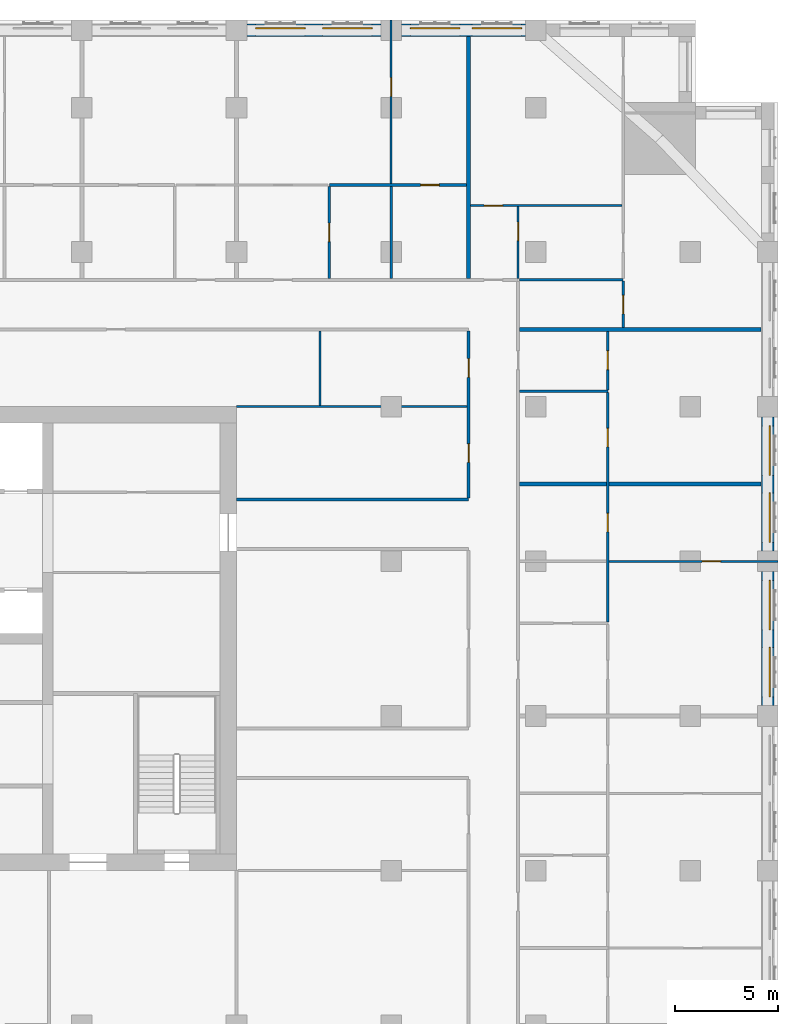
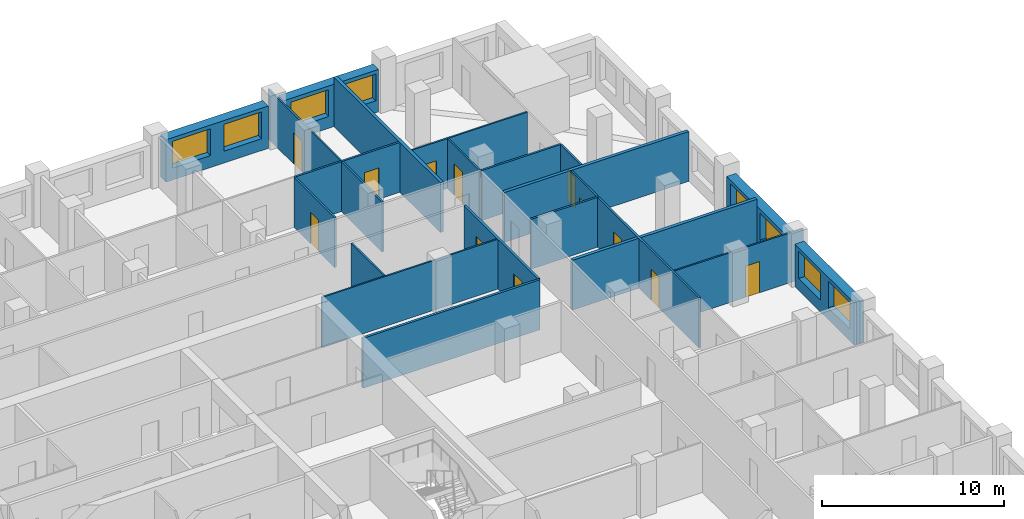
# One storey, part 10 of 13: 23 walls, 12 doors, 8 windows, 20 openings.
"""IFC4 building model written with IfcOpenShell, lengths in metres."""

from ifc_helpers import new_model, si_unit, direction, frame, frame_2d, origin, place, context, subcontext, project, spatial, rectangle, extrude, material, layer, layer_set, type_object, element, fill, save


model = new_model("IFC4")

# Units and contexts
model_context = context("Model", 3, precision=1e-05, world=origin(), true_north=direction((0.0, 1.0)))
body_context = subcontext(model_context, "Body", "Model", "MODEL_VIEW")
ifc_project = project(units=[si_unit("LENGTHUNIT", "METRE"), si_unit("AREAUNIT", "SQUARE_METRE"), si_unit("VOLUMEUNIT", "CUBIC_METRE"), si_unit("PLANEANGLEUNIT", "RADIAN"), si_unit("MASSUNIT", "GRAM", prefix="KILO")], contexts=[model_context])

# Site, building, storey
site_placement = place(None, origin())
site = spatial("IfcSite", under=ifc_project, at=site_placement, CompositionType="ELEMENT")
building_placement = place(site_placement, origin())
building = spatial("IfcBuilding", under=site, at=building_placement, Name="Tamorin Gate", CompositionType="ELEMENT")
storey_placement = place(building_placement, frame((0.0, 0.0, 144.60009765625)))
storey = spatial("IfcBuildingStorey", under=building, at=storey_placement, Name="L35", CompositionType="ELEMENT", Elevation=144.60009765625)

# Wall, openings, windows
ifc_material_1 = material(Name="Precast concrete C40/50", Category="concrete")
ifc_layer_1 = layer(ifc_material_1, 0.60009765625)
ifc_layer_set_1 = layer_set([ifc_layer_1], Name="Precast concrete C40/50")
wall_type_1 = type_object("IfcWallType", Name="Board-marked concrete facade panel 600", PredefinedType="SOLIDWALL", material=ifc_layer_set_1)
wall_1_placement = place(storey_placement, frame((85.75, 68.0, 0.0), z_axis=(0.0, 0.0, 1.0), x_axis=(0.0, 1.0, 0.0)))
wall_1 = element("IfcWall", 1, at=wall_1_placement, inside=storey, type_object=wall_type_1, Name="Facade panel", PredefinedType="SOLIDWALL", context=body_context, shape_type="SweptSolid", body=[
    extrude(rectangle(XDim=6.5, YDim=0.60009765625, at=frame_2d((3.25, 0.0))), origin(), (0.0, 0.0, 1.0), 2.849853515625),
])
opening_1_placement = place(wall_1_placement, frame((0.425048828125, 0.0, 0.800048828125)))
opening_1 = element("IfcOpeningElement", 2, at=opening_1_placement, cuts=wall_1, Name="Opening WN1", PredefinedType="OPENING", context=body_context, shape_type="SweptSolid", body=[
    extrude(rectangle(XDim=2.39990234375, YDim=1.800048828125, at=frame_2d((1.199951171875, 0.89990234375))), frame((0.0, 0.31005859375, 0.0), z_axis=(0.0, -1.0, 0.0), x_axis=(1.0, 0.0, 0.0)), (0.0, 0.0, 1.0), 0.6201171875),
])
opening_2_placement = place(wall_1_placement, frame((3.675048828125, 0.0, 0.800048828125)))
opening_2 = element("IfcOpeningElement", 3, at=opening_2_placement, cuts=wall_1, Name="Opening WN1", PredefinedType="OPENING", context=body_context, shape_type="SweptSolid", body=[
    extrude(rectangle(XDim=2.39990234375, YDim=1.800048828125, at=frame_2d((1.199951171875, 0.89990234375))), frame((0.0, 0.31005859375, 0.0), z_axis=(0.0, -1.0, 0.0), x_axis=(1.0, 0.0, 0.0)), (0.0, 0.0, 1.0), 0.6201171875),
])
ifc_material_2 = material(Name="Clear glass in aluminium frame", Category="aluminium")
window_type = type_object("IfcWindowType", Name="Deep-set window 2400x1800", PartitioningType="SINGLE_PANEL", PredefinedType="WINDOW", material=ifc_material_2)
window_1_placement = place(opening_1_placement, origin())
window_1 = element("IfcWindow", 4, at=window_1_placement, inside=storey, type_object=window_type, Name="Deep-set window", OverallHeight=1.800048828125, OverallWidth=2.39990234375, PartitioningType="SINGLE_PANEL", PredefinedType="WINDOW", context=body_context, shape_type="SweptSolid", body=[
    extrude(rectangle(XDim=2.39990234375, YDim=1.800048828125, at=frame_2d((1.199951171875, 0.89990234375))), frame((0.0, -0.070068359375, 0.0), z_axis=(0.0, -1.0, 0.0), x_axis=(1.0, 0.0, 0.0)), (0.0, 0.0, 1.0), 0.06005859375),
])
fill(opening_1, window_1)
window_2_placement = place(opening_2_placement, origin())
window_2 = element("IfcWindow", 5, at=window_2_placement, inside=storey, type_object=window_type, Name="Deep-set window", OverallHeight=1.800048828125, OverallWidth=2.39990234375, PartitioningType="SINGLE_PANEL", PredefinedType="WINDOW", context=body_context, shape_type="SweptSolid", body=[
    extrude(rectangle(XDim=2.39990234375, YDim=1.800048828125, at=frame_2d((1.199951171875, 0.89990234375))), frame((0.0, -0.070068359375, 0.0), z_axis=(0.0, -1.0, 0.0), x_axis=(1.0, 0.0, 0.0)), (0.0, 0.0, 1.0), 0.06005859375),
])
fill(opening_2, window_2)

wall_2_placement = place(storey_placement, frame((85.75, 75.5, 0.0), z_axis=(0.0, 0.0, 1.0), x_axis=(0.0, 1.0, 0.0)))
wall_2 = element("IfcWall", 6, at=wall_2_placement, inside=storey, type_object=wall_type_1, Name="Facade panel", PredefinedType="SOLIDWALL", context=body_context, shape_type="SweptSolid", body=[
    extrude(rectangle(XDim=6.5, YDim=0.60009765625, at=frame_2d((3.25, 0.0))), origin(), (0.0, 0.0, 1.0), 2.849853515625),
])
opening_3_placement = place(wall_2_placement, frame((0.425048828125, 0.0, 0.800048828125)))
opening_3 = element("IfcOpeningElement", 7, at=opening_3_placement, cuts=wall_2, Name="Opening WN1", PredefinedType="OPENING", context=body_context, shape_type="SweptSolid", body=[
    extrude(rectangle(XDim=2.39990234375, YDim=1.800048828125, at=frame_2d((1.199951171875, 0.89990234375))), frame((0.0, 0.31005859375, 0.0), z_axis=(0.0, -1.0, 0.0), x_axis=(1.0, 0.0, 0.0)), (0.0, 0.0, 1.0), 0.6201171875),
])
opening_4_placement = place(wall_2_placement, frame((3.675048828125, 0.0, 0.800048828125)))
opening_4 = element("IfcOpeningElement", 8, at=opening_4_placement, cuts=wall_2, Name="Opening WN1", PredefinedType="OPENING", context=body_context, shape_type="SweptSolid", body=[
    extrude(rectangle(XDim=2.39990234375, YDim=1.800048828125, at=frame_2d((1.199951171875, 0.89990234375))), frame((0.0, 0.31005859375, 0.0), z_axis=(0.0, -1.0, 0.0), x_axis=(1.0, 0.0, 0.0)), (0.0, 0.0, 1.0), 0.6201171875),
])
window_3_placement = place(opening_3_placement, origin())
window_3 = element("IfcWindow", 9, at=window_3_placement, inside=storey, type_object=window_type, Name="Deep-set window", OverallHeight=1.800048828125, OverallWidth=2.39990234375, PartitioningType="SINGLE_PANEL", PredefinedType="WINDOW", context=body_context, shape_type="SweptSolid", body=[
    extrude(rectangle(XDim=2.39990234375, YDim=1.800048828125, at=frame_2d((1.199951171875, 0.89990234375))), frame((0.0, -0.070068359375, 0.0), z_axis=(0.0, -1.0, 0.0), x_axis=(1.0, 0.0, 0.0)), (0.0, 0.0, 1.0), 0.06005859375),
])
fill(opening_3, window_3)
window_4_placement = place(opening_4_placement, origin())
window_4 = element("IfcWindow", 10, at=window_4_placement, inside=storey, type_object=window_type, Name="Deep-set window", OverallHeight=1.800048828125, OverallWidth=2.39990234375, PartitioningType="SINGLE_PANEL", PredefinedType="WINDOW", context=body_context, shape_type="SweptSolid", body=[
    extrude(rectangle(XDim=2.39990234375, YDim=1.800048828125, at=frame_2d((1.199951171875, 0.89990234375))), frame((0.0, -0.070068359375, 0.0), z_axis=(0.0, -1.0, 0.0), x_axis=(1.0, 0.0, 0.0)), (0.0, 0.0, 1.0), 0.06005859375),
])
fill(opening_4, window_4)

wall_3_placement = place(storey_placement, frame((74.0, 100.75, 0.0), z_axis=(0.0, 0.0, 1.0), x_axis=(-1.0, 0.0, 0.0)))
wall_3 = element("IfcWall", 11, at=wall_3_placement, inside=storey, type_object=wall_type_1, Name="Facade panel", PredefinedType="SOLIDWALL", context=body_context, shape_type="SweptSolid", body=[
    extrude(rectangle(XDim=6.0, YDim=0.60009765625, at=frame_2d((3.0, 0.0))), origin(), (0.0, 0.0, 1.0), 2.849853515625),
])
opening_5_placement = place(wall_3_placement, frame((3.175048828125, 0.0, 0.800048828125)))
opening_5 = element("IfcOpeningElement", 12, at=opening_5_placement, cuts=wall_3, Name="Opening WN1", PredefinedType="OPENING", context=body_context, shape_type="SweptSolid", body=[
    extrude(rectangle(XDim=2.39990234375, YDim=1.800048828125, at=frame_2d((1.199951171875, 0.89990234375))), frame((0.0, 0.31005859375, 0.0), z_axis=(0.0, -1.0, 0.0), x_axis=(1.0, 0.0, 0.0)), (0.0, 0.0, 1.0), 0.6201171875),
])
opening_6_placement = place(wall_3_placement, frame((0.175048828125, 0.0, 0.800048828125)))
opening_6 = element("IfcOpeningElement", 13, at=opening_6_placement, cuts=wall_3, Name="Opening WN1", PredefinedType="OPENING", context=body_context, shape_type="SweptSolid", body=[
    extrude(rectangle(XDim=2.39990234375, YDim=1.800048828125, at=frame_2d((1.199951171875, 0.89990234375))), frame((0.0, 0.31005859375, 0.0), z_axis=(0.0, -1.0, 0.0), x_axis=(1.0, 0.0, 0.0)), (0.0, 0.0, 1.0), 0.6201171875),
])
window_5_placement = place(opening_5_placement, origin())
window_5 = element("IfcWindow", 14, at=window_5_placement, inside=storey, type_object=window_type, Name="Deep-set window", OverallHeight=1.800048828125, OverallWidth=2.39990234375, PartitioningType="SINGLE_PANEL", PredefinedType="WINDOW", context=body_context, shape_type="SweptSolid", body=[
    extrude(rectangle(XDim=2.39990234375, YDim=1.800048828125, at=frame_2d((1.199951171875, 0.89990234375))), frame((0.0, -0.070068359375, 0.0), z_axis=(0.0, -1.0, 0.0), x_axis=(1.0, 0.0, 0.0)), (0.0, 0.0, 1.0), 0.06005859375),
])
fill(opening_5, window_5)
window_6_placement = place(opening_6_placement, origin())
window_6 = element("IfcWindow", 15, at=window_6_placement, inside=storey, type_object=window_type, Name="Deep-set window", OverallHeight=1.800048828125, OverallWidth=2.39990234375, PartitioningType="SINGLE_PANEL", PredefinedType="WINDOW", context=body_context, shape_type="SweptSolid", body=[
    extrude(rectangle(XDim=2.39990234375, YDim=1.800048828125, at=frame_2d((1.199951171875, 0.89990234375))), frame((0.0, -0.070068359375, 0.0), z_axis=(0.0, -1.0, 0.0), x_axis=(1.0, 0.0, 0.0)), (0.0, 0.0, 1.0), 0.06005859375),
])
fill(opening_6, window_6)

wall_4_placement = place(storey_placement, frame((67.0, 100.75, 0.0), z_axis=(0.0, 0.0, 1.0), x_axis=(-1.0, 0.0, 0.0)))
wall_4 = element("IfcWall", 16, at=wall_4_placement, inside=storey, type_object=wall_type_1, Name="Facade panel", PredefinedType="SOLIDWALL", context=body_context, shape_type="SweptSolid", body=[
    extrude(rectangle(XDim=6.5, YDim=0.60009765625, at=frame_2d((3.25, 0.0))), origin(), (0.0, 0.0, 1.0), 2.849853515625),
])
opening_7_placement = place(wall_4_placement, frame((3.675048828125, 0.0, 0.800048828125)))
opening_7 = element("IfcOpeningElement", 17, at=opening_7_placement, cuts=wall_4, Name="Opening WN1", PredefinedType="OPENING", context=body_context, shape_type="SweptSolid", body=[
    extrude(rectangle(XDim=2.39990234375, YDim=1.800048828125, at=frame_2d((1.199951171875, 0.89990234375))), frame((0.0, 0.31005859375, 0.0), z_axis=(0.0, -1.0, 0.0), x_axis=(1.0, 0.0, 0.0)), (0.0, 0.0, 1.0), 0.6201171875),
])
opening_8_placement = place(wall_4_placement, frame((0.425048828125, 0.0, 0.800048828125)))
opening_8 = element("IfcOpeningElement", 18, at=opening_8_placement, cuts=wall_4, Name="Opening WN1", PredefinedType="OPENING", context=body_context, shape_type="SweptSolid", body=[
    extrude(rectangle(XDim=2.39990234375, YDim=1.800048828125, at=frame_2d((1.199951171875, 0.89990234375))), frame((0.0, 0.31005859375, 0.0), z_axis=(0.0, -1.0, 0.0), x_axis=(1.0, 0.0, 0.0)), (0.0, 0.0, 1.0), 0.6201171875),
])
window_7_placement = place(opening_7_placement, origin())
window_7 = element("IfcWindow", 19, at=window_7_placement, inside=storey, type_object=window_type, Name="Deep-set window", OverallHeight=1.800048828125, OverallWidth=2.39990234375, PartitioningType="SINGLE_PANEL", PredefinedType="WINDOW", context=body_context, shape_type="SweptSolid", body=[
    extrude(rectangle(XDim=2.39990234375, YDim=1.800048828125, at=frame_2d((1.199951171875, 0.89990234375))), frame((0.0, -0.070068359375, 0.0), z_axis=(0.0, -1.0, 0.0), x_axis=(1.0, 0.0, 0.0)), (0.0, 0.0, 1.0), 0.06005859375),
])
fill(opening_7, window_7)
window_8_placement = place(opening_8_placement, origin())
window_8 = element("IfcWindow", 20, at=window_8_placement, inside=storey, type_object=window_type, Name="Deep-set window", OverallHeight=1.800048828125, OverallWidth=2.39990234375, PartitioningType="SINGLE_PANEL", PredefinedType="WINDOW", context=body_context, shape_type="SweptSolid", body=[
    extrude(rectangle(XDim=2.39990234375, YDim=1.800048828125, at=frame_2d((1.199951171875, 0.89990234375))), frame((0.0, -0.070068359375, 0.0), z_axis=(0.0, -1.0, 0.0), x_axis=(1.0, 0.0, 0.0)), (0.0, 0.0, 1.0), 0.06005859375),
])
fill(opening_8, window_8)

# Wall, openings, doors
ifc_material_3 = material(Name="Gypsum board partition")
ifc_layer_2 = layer(ifc_material_3, 0.14990234375)
ifc_layer_set_2 = layer_set([ifc_layer_2], Name="Corridor wall 150")
wall_type_2 = type_object("IfcWallType", Name="Corridor wall 150", PredefinedType="PARTITIONING", material=ifc_layer_set_2)
wall_5_placement = place(storey_placement, frame((71.25, 78.074951171875, 0.0), z_axis=(0.0, 0.0, 1.0), x_axis=(0.0, 1.0, 0.0)))
wall_5 = element("IfcWall", 21, at=wall_5_placement, inside=storey, type_object=wall_type_2, Name="Corridor wall 150", PredefinedType="PARTITIONING", context=body_context, shape_type="SweptSolid", body=[
    extrude(rectangle(XDim=8.10009765625, YDim=0.14990234375, at=frame_2d((4.050048828125, 0.0))), origin(), (0.0, 0.0, 1.0), 3.349853515625),
])
opening_9_placement = place(wall_5_placement, frame((5.85009765625, 0.0, 0.0)))
opening_9 = element("IfcOpeningElement", 22, at=opening_9_placement, cuts=wall_5, Name="Opening DS1069", PredefinedType="OPENING", context=body_context, shape_type="SweptSolid", body=[
    extrude(rectangle(XDim=0.89990234375, YDim=2.10009765625, at=frame_2d((0.449951171875, 1.050048828125))), frame((0.0, 0.0849609375, 0.0), z_axis=(0.0, -1.0, 0.0), x_axis=(1.0, 0.0, 0.0)), (0.0, 0.0, 1.0), 0.169921875),
])
opening_10_placement = place(wall_5_placement, frame((1.72509765625, 0.0, 0.0)))
opening_10 = element("IfcOpeningElement", 23, at=opening_10_placement, cuts=wall_5, Name="Opening DS1072", PredefinedType="OPENING", context=body_context, shape_type="SweptSolid", body=[
    extrude(rectangle(XDim=0.89990234375, YDim=2.10009765625, at=frame_2d((0.449951171875, 1.050048828125))), frame((0.0, 0.0849609375, 0.0), z_axis=(0.0, -1.0, 0.0), x_axis=(1.0, 0.0, 0.0)), (0.0, 0.0, 1.0), 0.169921875),
])
ifc_material_4 = material(Name="Timber door leaf", Category="wood")
door_type_1 = type_object("IfcDoorType", Name="Door 900 x 2100 FD30S", OperationType="NOTDEFINED", PredefinedType="DOOR", material=ifc_material_4)
door_1_placement = place(opening_9_placement, origin())
door_1 = element("IfcDoor", 24, at=door_1_placement, inside=storey, type_object=door_type_1, Name="Door DS1069", OperationType="SINGLE_SWING_LEFT", OverallHeight=2.10009765625, OverallWidth=0.89990234375, PredefinedType="DOOR", context=body_context, shape_type="SweptSolid", body=[
    extrude(rectangle(XDim=0.89990234375, YDim=2.10009765625, at=frame_2d((0.449951171875, 1.050048828125))), frame((0.0, 0.02490234375, 0.0), z_axis=(0.0, -1.0, 0.0), x_axis=(1.0, 0.0, 0.0)), (0.0, 0.0, 1.0), 0.050048828125),
])
fill(opening_9, door_1)
door_2_placement = place(opening_10_placement, origin())
door_2 = element("IfcDoor", 25, at=door_2_placement, inside=storey, type_object=door_type_1, Name="Door DS1072", OperationType="SINGLE_SWING_LEFT", OverallHeight=2.10009765625, OverallWidth=0.89990234375, PredefinedType="DOOR", context=body_context, shape_type="SweptSolid", body=[
    extrude(rectangle(XDim=0.89990234375, YDim=2.10009765625, at=frame_2d((0.449951171875, 1.050048828125))), frame((0.0, 0.02490234375, 0.0), z_axis=(0.0, -1.0, 0.0), x_axis=(1.0, 0.0, 0.0)), (0.0, 0.0, 1.0), 0.050048828125),
])
fill(opening_10, door_2)

# Walls
ifc_layer_3 = layer(ifc_material_3, 0.199951171875)
ifc_layer_set_3 = layer_set([ifc_layer_3], Name="Demising wall 200")
wall_type_3 = type_object("IfcWallType", Name="Demising wall 200", PredefinedType="PARTITIONING", material=ifc_layer_set_3)
for number, where, z_axis, x_axis, name in (
    (26, (73.72509765625, 78.75, 0.0), (0.0, 0.0, 1.0), (1.0, 0.0, 0.0), "Demising wall 200"),
    (27, (73.72509765625, 86.25, 0.0), (0.0, 0.0, 1.0), (1.0, 0.0, 0.0), "Demising wall 200"),
    (28, (71.25, 88.72509765625, 0.0), (0.0, 0.0, 1.0), (0.0, 1.0, 0.0), "Demising wall 200"),
):
    element("IfcWall", number, at=place(storey_placement, frame(where, z_axis=z_axis, x_axis=x_axis)), inside=storey, type_object=wall_type_3, Name=name, PredefinedType="PARTITIONING", context=body_context, shape_type="SweptSolid", body=[
        extrude(rectangle(XDim=11.71484375, YDim=0.199951171875, at=frame_2d((5.857421875, 0.0))), origin(), (0.0, 0.0, 1.0), 3.349853515625),
    ])
ifc_layer_4 = layer(ifc_material_3, 0.14990234375)
ifc_layer_set_4 = layer_set([ifc_layer_4], Name="Lobby wall 150")
wall_type_4 = type_object("IfcWallType", Name="Lobby wall 150", PredefinedType="PARTITIONING", material=ifc_layer_set_4)
wall_6_placement = place(storey_placement, frame((60.0, 78.0, 0.0), z_axis=(0.0, 0.0, 1.0), x_axis=(1.0, 0.0, 0.0)))
element("IfcWall", 29, at=wall_6_placement, inside=storey, type_object=wall_type_4, Name="Lobby wall 150", PredefinedType="PARTITIONING", context=body_context, shape_type="SweptSolid", body=[
    extrude(rectangle(XDim=11.25, YDim=0.14990234375, at=frame_2d((5.625, 0.0))), origin(), (0.0, 0.0, 1.0), 3.349853515625),
])

# Wall, opening, door
ifc_layer_5 = layer(ifc_material_3, 0.10009765625)
ifc_layer_set_5 = layer_set([ifc_layer_5], Name="Room partition 100")
wall_type_5 = type_object("IfcWallType", Name="Room partition 100", PredefinedType="PARTITIONING", material=ifc_layer_set_5)
wall_7_placement = place(storey_placement, frame((78.0625, 75.0, 0.0), z_axis=(0.0, 0.0, 1.0), x_axis=(1.0, 0.0, 0.0)))
wall_7 = element("IfcWall", 30, at=wall_7_placement, inside=storey, type_object=wall_type_5, Name="Room partition 100", PredefinedType="PARTITIONING", context=body_context, shape_type="SweptSolid", body=[
    extrude(rectangle(XDim=8.1875, YDim=0.10009765625, at=frame_2d((4.09375, 0.0))), origin(), (0.0, 0.0, 1.0), 3.349853515625),
])
opening_11_placement = place(wall_7_placement, frame((4.512451171875, 0.0, 0.0)))
opening_11 = element("IfcOpeningElement", 31, at=opening_11_placement, cuts=wall_7, Name="Opening DS1047", PredefinedType="OPENING", context=body_context, shape_type="SweptSolid", body=[
    extrude(rectangle(XDim=0.89990234375, YDim=2.10009765625, at=frame_2d((0.449951171875, 1.050048828125))), frame((0.0, 0.06005859375, 0.0), z_axis=(0.0, -1.0, 0.0), x_axis=(1.0, 0.0, 0.0)), (0.0, 0.0, 1.0), 0.1201171875),
])
door_type_2 = type_object("IfcDoorType", Name="Door 900 x 2100", OperationType="NOTDEFINED", PredefinedType="DOOR", material=ifc_material_4)
door_3_placement = place(opening_11_placement, origin())
door_3 = element("IfcDoor", 32, at=door_3_placement, inside=storey, type_object=door_type_2, Name="Door DS1047", OperationType="SINGLE_SWING_LEFT", OverallHeight=2.10009765625, OverallWidth=0.89990234375, PredefinedType="DOOR", context=body_context, shape_type="SweptSolid", body=[
    extrude(rectangle(XDim=0.89990234375, YDim=2.10009765625, at=frame_2d((0.449951171875, 1.050048828125))), frame((0.0, 0.02490234375, 0.0), z_axis=(0.0, -1.0, 0.0), x_axis=(1.0, 0.0, 0.0)), (0.0, 0.0, 1.0), 0.050048828125),
])
fill(opening_11, door_3)

# Wall
wall_8_placement = place(storey_placement, frame((60.0, 82.5, 0.0), z_axis=(0.0, 0.0, 1.0), x_axis=(1.0, 0.0, 0.0)))
element("IfcWall", 33, at=wall_8_placement, inside=storey, type_object=wall_type_5, Name="Room partition 100", PredefinedType="PARTITIONING", context=body_context, shape_type="SweptSolid", body=[
    extrude(rectangle(XDim=11.175048828125, YDim=0.10009765625, at=frame_2d((5.58740234375, 0.0))), origin(), (0.0, 0.0, 1.0), 3.349853515625),
])

# Wall, opening, door
wall_9_placement = place(storey_placement, frame((71.35009765625, 92.25, 0.0), z_axis=(0.0, 0.0, 1.0), x_axis=(1.0, 0.0, 0.0)))
wall_9 = element("IfcWall", 34, at=wall_9_placement, inside=storey, type_object=wall_type_5, Name="Room partition 100", PredefinedType="PARTITIONING", context=body_context, shape_type="SweptSolid", body=[
    extrude(rectangle(XDim=7.349853515625, YDim=0.10009765625, at=frame_2d((3.6748046875, 0.0))), origin(), (0.0, 0.0, 1.0), 3.349853515625),
])
opening_12_placement = place(wall_9_placement, frame((0.64990234375, 0.0, 0.0)))
opening_12 = element("IfcOpeningElement", 35, at=opening_12_placement, cuts=wall_9, Name="Opening DS1058", PredefinedType="OPENING", context=body_context, shape_type="SweptSolid", body=[
    extrude(rectangle(XDim=0.89990234375, YDim=2.10009765625, at=frame_2d((0.449951171875, 1.050048828125))), frame((0.0, 0.06005859375, 0.0), z_axis=(0.0, -1.0, 0.0), x_axis=(1.0, 0.0, 0.0)), (0.0, 0.0, 1.0), 0.1201171875),
])
door_4_placement = place(opening_12_placement, origin())
door_4 = element("IfcDoor", 36, at=door_4_placement, inside=storey, type_object=door_type_2, Name="Door DS1058", OperationType="SINGLE_SWING_LEFT", OverallHeight=2.10009765625, OverallWidth=0.89990234375, PredefinedType="DOOR", context=body_context, shape_type="SweptSolid", body=[
    extrude(rectangle(XDim=0.89990234375, YDim=2.10009765625, at=frame_2d((0.449951171875, 1.050048828125))), frame((0.0, 0.02490234375, 0.0), z_axis=(0.0, -1.0, 0.0), x_axis=(1.0, 0.0, 0.0)), (0.0, 0.0, 1.0), 0.050048828125),
])
fill(opening_12, door_4)

# Wall
wall_10_placement = place(storey_placement, frame((64.050048828125, 82.550048828125, 0.0), z_axis=(0.0, 0.0, 1.0), x_axis=(0.0, 1.0, 0.0)))
element("IfcWall", 37, at=wall_10_placement, inside=storey, type_object=wall_type_5, Name="Room partition 100", PredefinedType="PARTITIONING", context=body_context, shape_type="SweptSolid", body=[
    extrude(rectangle(XDim=3.625, YDim=0.10009765625, at=frame_2d((1.8125, 0.0))), origin(), (0.0, 0.0, 1.0), 3.349853515625),
])

# Wall, opening, door
wall_11_placement = place(storey_placement, frame((67.5, 93.3125, 0.0), z_axis=(0.0, 0.0, 1.0), x_axis=(0.0, 1.0, 0.0)))
wall_11 = element("IfcWall", 38, at=wall_11_placement, inside=storey, type_object=wall_type_5, Name="Room partition 100", PredefinedType="PARTITIONING", context=body_context, shape_type="SweptSolid", body=[
    extrude(rectangle(XDim=7.9375, YDim=0.10009765625, at=frame_2d((3.96875, 0.0))), origin(), (0.0, 0.0, 1.0), 3.349853515625),
])
opening_13_placement = place(wall_11_placement, frame((4.237548828125, 0.0, 0.0)))
opening_13 = element("IfcOpeningElement", 39, at=opening_13_placement, cuts=wall_11, Name="Opening DS1035", PredefinedType="OPENING", context=body_context, shape_type="SweptSolid", body=[
    extrude(rectangle(XDim=0.89990234375, YDim=2.10009765625, at=frame_2d((0.449951171875, 1.050048828125))), frame((0.0, 0.06005859375, 0.0), z_axis=(0.0, -1.0, 0.0), x_axis=(1.0, 0.0, 0.0)), (0.0, 0.0, 1.0), 0.1201171875),
])
door_5_placement = place(opening_13_placement, origin())
door_5 = element("IfcDoor", 40, at=door_5_placement, inside=storey, type_object=door_type_2, Name="Door DS1035", OperationType="SINGLE_SWING_RIGHT", OverallHeight=2.10009765625, OverallWidth=0.89990234375, PredefinedType="DOOR", context=body_context, shape_type="SweptSolid", body=[
    extrude(rectangle(XDim=0.89990234375, YDim=2.10009765625, at=frame_2d((0.449951171875, 1.050048828125))), frame((0.0, 0.02490234375, 0.0), z_axis=(0.0, -1.0, 0.0), x_axis=(1.0, 0.0, 0.0)), (0.0, 0.0, 1.0), 0.050048828125),
])
fill(opening_13, door_5)

wall_12_placement = place(storey_placement, frame((73.64990234375, 88.72509765625, 0.0), z_axis=(0.0, 0.0, 1.0), x_axis=(0.0, 1.0, 0.0)))
wall_12 = element("IfcWall", 41, at=wall_12_placement, inside=storey, type_object=wall_type_5, Name="Room partition 100", PredefinedType="PARTITIONING", context=body_context, shape_type="SweptSolid", body=[
    extrude(rectangle(XDim=3.474853515625, YDim=0.10009765625, at=frame_2d((1.7373046875, 0.0))), origin(), (0.0, 0.0, 1.0), 3.349853515625),
])
opening_14_placement = place(wall_12_placement, frame((1.824951171875, 0.0, 0.0)))
opening_14 = element("IfcOpeningElement", 42, at=opening_14_placement, cuts=wall_12, Name="Opening DS1059", PredefinedType="OPENING", context=body_context, shape_type="SweptSolid", body=[
    extrude(rectangle(XDim=0.89990234375, YDim=2.10009765625, at=frame_2d((0.449951171875, 1.050048828125))), frame((0.0, 0.06005859375, 0.0), z_axis=(0.0, -1.0, 0.0), x_axis=(1.0, 0.0, 0.0)), (0.0, 0.0, 1.0), 0.1201171875),
])
door_6_placement = place(opening_14_placement, origin())
door_6 = element("IfcDoor", 43, at=door_6_placement, inside=storey, type_object=door_type_2, Name="Door DS1059", OperationType="SINGLE_SWING_RIGHT", OverallHeight=2.10009765625, OverallWidth=0.89990234375, PredefinedType="DOOR", context=body_context, shape_type="SweptSolid", body=[
    extrude(rectangle(XDim=0.89990234375, YDim=2.10009765625, at=frame_2d((0.449951171875, 1.050048828125))), frame((0.0, 0.02490234375, 0.0), z_axis=(0.0, -1.0, 0.0), x_axis=(1.0, 0.0, 0.0)), (0.0, 0.0, 1.0), 0.050048828125),
])
fill(opening_14, door_6)

wall_13_placement = place(storey_placement, frame((78.0, 83.3125, 0.0), z_axis=(0.0, 0.0, 1.0), x_axis=(0.0, 1.0, 0.0)))
wall_13 = element("IfcWall", 44, at=wall_13_placement, inside=storey, type_object=wall_type_5, Name="Room partition 100", PredefinedType="PARTITIONING", context=body_context, shape_type="SweptSolid", body=[
    extrude(rectangle(XDim=2.83740234375, YDim=0.10009765625, at=frame_2d((1.418701171875, 0.0))), origin(), (0.0, 0.0, 1.0), 3.349853515625),
])
opening_15_placement = place(wall_13_placement, frame((0.987548828125, 0.0, 0.0)))
opening_15 = element("IfcOpeningElement", 45, at=opening_15_placement, cuts=wall_13, Name="Opening DS1050", PredefinedType="OPENING", context=body_context, shape_type="SweptSolid", body=[
    extrude(rectangle(XDim=0.89990234375, YDim=2.10009765625, at=frame_2d((0.449951171875, 1.050048828125))), frame((0.0, 0.06005859375, 0.0), z_axis=(0.0, -1.0, 0.0), x_axis=(1.0, 0.0, 0.0)), (0.0, 0.0, 1.0), 0.1201171875),
])
door_7_placement = place(opening_15_placement, origin())
door_7 = element("IfcDoor", 46, at=door_7_placement, inside=storey, type_object=door_type_2, Name="Door DS1050", OperationType="SINGLE_SWING_LEFT", OverallHeight=2.10009765625, OverallWidth=0.89990234375, PredefinedType="DOOR", context=body_context, shape_type="SweptSolid", body=[
    extrude(rectangle(XDim=0.89990234375, YDim=2.10009765625, at=frame_2d((0.449951171875, 1.050048828125))), frame((0.0, 0.02490234375, 0.0), z_axis=(0.0, -1.0, 0.0), x_axis=(1.0, 0.0, 0.0)), (0.0, 0.0, 1.0), 0.050048828125),
])
fill(opening_15, door_7)

# Walls
ifc_layer_6 = layer(ifc_material_3, 0.125)
ifc_layer_set_6 = layer_set([ifc_layer_6], Name="Wet wall 125")
wall_type_6 = type_object("IfcWallType", Name="Wet wall 125", PredefinedType="PARTITIONING", material=ifc_layer_set_6)
wall_14_placement = place(storey_placement, frame((73.72509765625, 83.25, 0.0), z_axis=(0.0, 0.0, 1.0), x_axis=(1.0, 0.0, 0.0)))
element("IfcWall", 47, at=wall_14_placement, inside=storey, type_object=wall_type_6, Name="Wet wall 125", PredefinedType="PARTITIONING", context=body_context, shape_type="SweptSolid", body=[
    extrude(rectangle(XDim=4.27490234375, YDim=0.125, at=frame_2d((2.137451171875, 0.0))), origin(), (0.0, 0.0, 1.0), 3.349853515625),
])
wall_15_placement = place(storey_placement, frame((73.72509765625, 88.64990234375, 0.0), z_axis=(0.0, 0.0, 1.0), x_axis=(1.0, 0.0, 0.0)))
element("IfcWall", 48, at=wall_15_placement, inside=storey, type_object=wall_type_6, Name="Wet wall 125", PredefinedType="PARTITIONING", context=body_context, shape_type="SweptSolid", body=[
    extrude(rectangle(XDim=5.02490234375, YDim=0.125, at=frame_2d((2.512451171875, 0.0))), origin(), (0.0, 0.0, 1.0), 3.349853515625),
])

# Wall, opening, door
wall_16_placement = place(storey_placement, frame((64.5, 93.25, 0.0), z_axis=(0.0, 0.0, 1.0), x_axis=(1.0, 0.0, 0.0)))
wall_16 = element("IfcWall", 49, at=wall_16_placement, inside=storey, type_object=wall_type_6, Name="Wet wall 125", PredefinedType="PARTITIONING", context=body_context, shape_type="SweptSolid", body=[
    extrude(rectangle(XDim=6.64990234375, YDim=0.125, at=frame_2d((3.324951171875, 0.0))), origin(), (0.0, 0.0, 1.0), 3.349853515625),
])
opening_16_placement = place(wall_16_placement, frame((4.425048828125, 0.0, 0.0)))
opening_16 = element("IfcOpeningElement", 50, at=opening_16_placement, cuts=wall_16, Name="Opening DS1034", PredefinedType="OPENING", context=body_context, shape_type="SweptSolid", body=[
    extrude(rectangle(XDim=0.89990234375, YDim=2.10009765625, at=frame_2d((0.449951171875, 1.050048828125))), frame((0.0, 0.072509765625, 0.0), z_axis=(0.0, -1.0, 0.0), x_axis=(1.0, 0.0, 0.0)), (0.0, 0.0, 1.0), 0.14501953125),
])
door_8_placement = place(opening_16_placement, origin())
door_8 = element("IfcDoor", 51, at=door_8_placement, inside=storey, type_object=door_type_2, Name="Door DS1034", OperationType="SINGLE_SWING_RIGHT", OverallHeight=2.10009765625, OverallWidth=0.89990234375, PredefinedType="DOOR", context=body_context, shape_type="SweptSolid", body=[
    extrude(rectangle(XDim=0.89990234375, YDim=2.10009765625, at=frame_2d((0.449951171875, 1.050048828125))), frame((0.0, 0.02490234375, 0.0), z_axis=(0.0, -1.0, 0.0), x_axis=(1.0, 0.0, 0.0)), (0.0, 0.0, 1.0), 0.050048828125),
])
fill(opening_16, door_8)

wall_17_placement = place(storey_placement, frame((64.5, 88.72509765625, 0.0), z_axis=(0.0, 0.0, 1.0), x_axis=(0.0, 1.0, 0.0)))
wall_17 = element("IfcWall", 52, at=wall_17_placement, inside=storey, type_object=wall_type_6, Name="Wet wall 125", PredefinedType="PARTITIONING", context=body_context, shape_type="SweptSolid", body=[
    extrude(rectangle(XDim=4.46240234375, YDim=0.125, at=frame_2d((2.231201171875, 0.0))), origin(), (0.0, 0.0, 1.0), 3.349853515625),
])
opening_17_placement = place(wall_17_placement, frame((1.77490234375, 0.0, 0.0)))
opening_17 = element("IfcOpeningElement", 53, at=opening_17_placement, cuts=wall_17, Name="Opening DS1033", PredefinedType="OPENING", context=body_context, shape_type="SweptSolid", body=[
    extrude(rectangle(XDim=0.89990234375, YDim=2.10009765625, at=frame_2d((0.449951171875, 1.050048828125))), frame((0.0, 0.072509765625, 0.0), z_axis=(0.0, -1.0, 0.0), x_axis=(1.0, 0.0, 0.0)), (0.0, 0.0, 1.0), 0.14501953125),
])
door_9_placement = place(opening_17_placement, origin())
door_9 = element("IfcDoor", 54, at=door_9_placement, inside=storey, type_object=door_type_2, Name="Door DS1033", OperationType="SINGLE_SWING_LEFT", OverallHeight=2.10009765625, OverallWidth=0.89990234375, PredefinedType="DOOR", context=body_context, shape_type="SweptSolid", body=[
    extrude(rectangle(XDim=0.89990234375, YDim=2.10009765625, at=frame_2d((0.449951171875, 1.050048828125))), frame((0.0, 0.02490234375, 0.0), z_axis=(0.0, -1.0, 0.0), x_axis=(1.0, 0.0, 0.0)), (0.0, 0.0, 1.0), 0.050048828125),
])
fill(opening_17, door_9)

# Wall
wall_18_placement = place(storey_placement, frame((67.5, 88.72509765625, 0.0), z_axis=(0.0, 0.0, 1.0), x_axis=(0.0, 1.0, 0.0)))
element("IfcWall", 55, at=wall_18_placement, inside=storey, type_object=wall_type_6, Name="Wet wall 125", PredefinedType="PARTITIONING", context=body_context, shape_type="SweptSolid", body=[
    extrude(rectangle(XDim=4.46240234375, YDim=0.125, at=frame_2d((2.231201171875, 0.0))), origin(), (0.0, 0.0, 1.0), 3.349853515625),
])

# Wall, openings, doors
wall_19_placement = place(storey_placement, frame((78.0, 72.0625, 0.0), z_axis=(0.0, 0.0, 1.0), x_axis=(0.0, 1.0, 0.0)))
wall_19 = element("IfcWall", 56, at=wall_19_placement, inside=storey, type_object=wall_type_6, Name="Wet wall 125", PredefinedType="PARTITIONING", context=body_context, shape_type="SweptSolid", body=[
    extrude(rectangle(XDim=11.125, YDim=0.125, at=frame_2d((5.5625, 0.0))), origin(), (0.0, 0.0, 1.0), 3.349853515625),
])
opening_18_placement = place(wall_19_placement, frame((4.362548828125, 0.0, 0.0)))
opening_18 = element("IfcOpeningElement", 57, at=opening_18_placement, cuts=wall_19, Name="Opening DS1046", PredefinedType="OPENING", context=body_context, shape_type="SweptSolid", body=[
    extrude(rectangle(XDim=0.89990234375, YDim=2.10009765625, at=frame_2d((0.449951171875, 1.050048828125))), frame((0.0, 0.072509765625, 0.0), z_axis=(0.0, -1.0, 0.0), x_axis=(1.0, 0.0, 0.0)), (0.0, 0.0, 1.0), 0.14501953125),
])
opening_19_placement = place(wall_19_placement, frame((8.487548828125, 0.0, 0.0)))
opening_19 = element("IfcOpeningElement", 58, at=opening_19_placement, cuts=wall_19, Name="Opening DS1048", PredefinedType="OPENING", context=body_context, shape_type="SweptSolid", body=[
    extrude(rectangle(XDim=0.89990234375, YDim=2.10009765625, at=frame_2d((0.449951171875, 1.050048828125))), frame((0.0, 0.072509765625, 0.0), z_axis=(0.0, -1.0, 0.0), x_axis=(1.0, 0.0, 0.0)), (0.0, 0.0, 1.0), 0.14501953125),
])
door_10_placement = place(opening_18_placement, origin())
door_10 = element("IfcDoor", 59, at=door_10_placement, inside=storey, type_object=door_type_2, Name="Door DS1046", OperationType="SINGLE_SWING_LEFT", OverallHeight=2.10009765625, OverallWidth=0.89990234375, PredefinedType="DOOR", context=body_context, shape_type="SweptSolid", body=[
    extrude(rectangle(XDim=0.89990234375, YDim=2.10009765625, at=frame_2d((0.449951171875, 1.050048828125))), frame((0.0, 0.02490234375, 0.0), z_axis=(0.0, -1.0, 0.0), x_axis=(1.0, 0.0, 0.0)), (0.0, 0.0, 1.0), 0.050048828125),
])
fill(opening_18, door_10)
door_11_placement = place(opening_19_placement, origin())
door_11 = element("IfcDoor", 60, at=door_11_placement, inside=storey, type_object=door_type_2, Name="Door DS1048", OperationType="SINGLE_SWING_LEFT", OverallHeight=2.10009765625, OverallWidth=0.89990234375, PredefinedType="DOOR", context=body_context, shape_type="SweptSolid", body=[
    extrude(rectangle(XDim=0.89990234375, YDim=2.10009765625, at=frame_2d((0.449951171875, 1.050048828125))), frame((0.0, 0.02490234375, 0.0), z_axis=(0.0, -1.0, 0.0), x_axis=(1.0, 0.0, 0.0)), (0.0, 0.0, 1.0), 0.050048828125),
])
fill(opening_19, door_11)

# Wall, opening, door
wall_20_placement = place(storey_placement, frame((78.75, 86.35009765625, 0.0), z_axis=(0.0, 0.0, 1.0), x_axis=(0.0, 1.0, 0.0)))
wall_20 = element("IfcWall", 61, at=wall_20_placement, inside=storey, type_object=wall_type_6, Name="Wet wall 125", PredefinedType="PARTITIONING", context=body_context, shape_type="SweptSolid", body=[
    extrude(rectangle(XDim=2.2373046875, YDim=0.125, at=frame_2d((1.11865234375, 0.0))), origin(), (0.0, 0.0, 1.0), 3.349853515625),
])
opening_20_placement = place(wall_20_placement, frame((0.64990234375, 0.0, 0.0)))
opening_20 = element("IfcOpeningElement", 62, at=opening_20_placement, cuts=wall_20, Name="Opening DS1062", PredefinedType="OPENING", context=body_context, shape_type="SweptSolid", body=[
    extrude(rectangle(XDim=0.89990234375, YDim=2.10009765625, at=frame_2d((0.449951171875, 1.050048828125))), frame((0.0, 0.072509765625, 0.0), z_axis=(0.0, -1.0, 0.0), x_axis=(1.0, 0.0, 0.0)), (0.0, 0.0, 1.0), 0.14501953125),
])
door_12_placement = place(opening_20_placement, origin())
door_12 = element("IfcDoor", 63, at=door_12_placement, inside=storey, type_object=door_type_2, Name="Door DS1062", OperationType="SINGLE_SWING_LEFT", OverallHeight=2.10009765625, OverallWidth=0.89990234375, PredefinedType="DOOR", context=body_context, shape_type="SweptSolid", body=[
    extrude(rectangle(XDim=0.89990234375, YDim=2.10009765625, at=frame_2d((0.449951171875, 1.050048828125))), frame((0.0, 0.02490234375, 0.0), z_axis=(0.0, -1.0, 0.0), x_axis=(1.0, 0.0, 0.0)), (0.0, 0.0, 1.0), 0.050048828125),
])
fill(opening_20, door_12)

save(model, "model.ifc")
